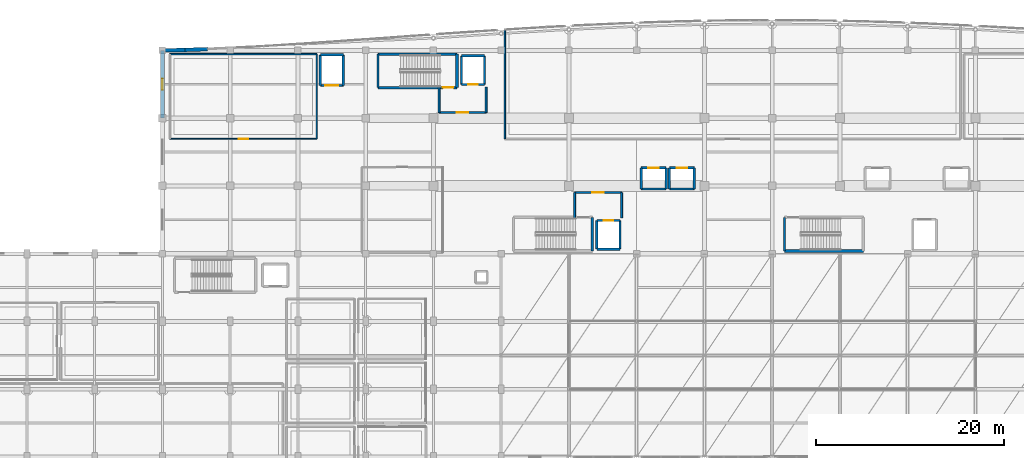
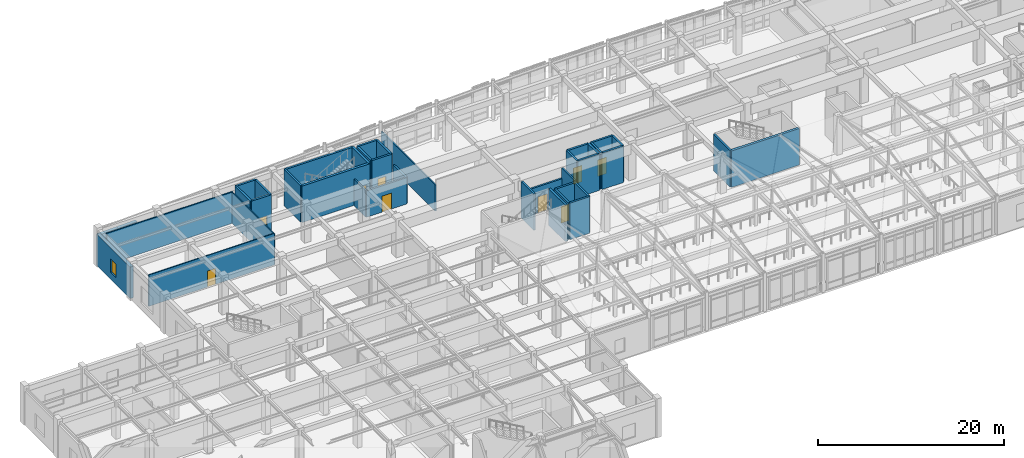
# One storey, part 91 of 117: 40 walls, 9 doors, 1 window, 10 openings.
"""IFC4 building model written with IfcOpenShell, lengths in metres."""

import ifcopenshell
import ifcopenshell.guid

model = None  # the IFC model being written
_history = None  # IfcOwnerHistory: only IFC2X3 demands one
_inside = {}  # id of a spatial element -> (the spatial element, [elements in it])
_under = {}  # id of a project, library or spatial element -> (it, [spatial elements below it])
_declared = {}  # id of a project -> (the project, [libraries it declares])
_typed = {}  # id of a type object -> (the type object, [elements of that type])
_made_of = {}  # id of a material, layer set ... -> (it, [elements and type objects made of it])


def new_model(schema):
    """Start an empty IFC model of exactly this schema.

    Asked for "IFC4X3", IfcOpenShell would pick the latest addendum, in which some entities
    have other attributes; the version numbers below select the first issue.
    IFC2X3 requires an IfcOwnerHistory on every rooted entity: one is made here for all.
    """
    global model, _history
    if schema == "IFC4X3":
        model = ifcopenshell.file(schema_version=(4, 3, 0, 0))
    else:
        model = ifcopenshell.file(schema=schema)
    _inside.clear()
    _under.clear()
    _declared.clear()
    _typed.clear()
    _made_of.clear()
    _history = None
    if model.schema == "IFC2X3":
        org = make("IfcOrganization", Name="unknown")
        user = make(
            "IfcPersonAndOrganization",
            ThePerson=make("IfcPerson", FamilyName="unknown"),
            TheOrganization=org,
        )
        app = make(
            "IfcApplication",
            ApplicationDeveloper=org,
            Version="unknown",
            ApplicationFullName="unknown",
            ApplicationIdentifier="unknown",
        )
        _history = make(
            "IfcOwnerHistory",
            OwningUser=user,
            OwningApplication=app,
            ChangeAction="ADDED",
            CreationDate=0,
        )
    return model


def make(cls, **values):
    """One entity of the class cls with the attributes given. An attribute that is None is left unset."""
    return model.create_entity(
        cls, **{name: value for name, value in values.items() if value is not None}
    )


def rooted(cls, **values):
    """An entity with a GlobalId (a new one), such as an element, a storey or a relation."""
    return make(cls, GlobalId=ifcopenshell.guid.new(), OwnerHistory=_history, **values)


def si_unit(unit_type, name, prefix=None):
    """IfcSIUnit, for example si_unit("LENGTHUNIT", "METRE", prefix="MILLI")."""
    return make("IfcSIUnit", UnitType=unit_type, Prefix=prefix, Name=name)


def assignment(units):
    """IfcUnitAssignment: the units of a project."""
    return None if units is None else make("IfcUnitAssignment", Units=units)


def point(xyz):
    """IfcCartesianPoint."""
    return None if xyz is None else make("IfcCartesianPoint", Coordinates=xyz)


def direction(xyz):
    """IfcDirection."""
    return None if xyz is None else make("IfcDirection", DirectionRatios=xyz)


def frame(location, z_axis=None, x_axis=None):
    """IfcAxis2Placement3D, a coordinate frame: its origin and axes. An axis left out is left unset."""
    return make(
        "IfcAxis2Placement3D",
        Location=point(location),
        Axis=direction(z_axis),
        RefDirection=direction(x_axis),
    )


def frame_2d(location, x_axis=None):
    """IfcAxis2Placement2D, a coordinate frame in the plane: its origin and x axis."""
    return make(
        "IfcAxis2Placement2D", Location=point(location), RefDirection=direction(x_axis)
    )


def origin():
    """The frame at (0, 0, 0) with its axes left unset."""
    return frame((0.0, 0.0, 0.0))


def place(relative_to, where):
    """IfcLocalPlacement: puts the frame where relative to a parent placement (None: the world)."""
    return make(
        "IfcLocalPlacement", PlacementRelTo=relative_to, RelativePlacement=where
    )


def context(
    kind, dimensions, precision=None, world=None, true_north=None, identifier=None
):
    """IfcGeometricRepresentationContext, for example the 3D "Model" context."""
    return make(
        "IfcGeometricRepresentationContext",
        ContextIdentifier=identifier,
        ContextType=kind,
        CoordinateSpaceDimension=dimensions,
        Precision=precision,
        WorldCoordinateSystem=world,
        TrueNorth=true_north,
    )


def subcontext(parent, identifier, kind, view, scale=None):
    """IfcGeometricRepresentationSubContext, for example "Body" below "Model"."""
    return make(
        "IfcGeometricRepresentationSubContext",
        ContextIdentifier=identifier,
        ContextType=kind,
        ParentContext=parent,
        TargetScale=scale,
        TargetView=view,
    )


def project(units=None, contexts=None):
    """IfcProject with its units and contexts."""
    return rooted(
        "IfcProject",
        Name="project",
        RepresentationContexts=contexts,
        UnitsInContext=assignment(units),
    )


def spatial(cls, under=None, at=None, **own):
    """A site, building, storey or space (cls), placed at a placement, below another one or the project."""
    s = rooted(cls, ObjectPlacement=at, **own)
    if under is not None:
        _under.setdefault(under.id(), (under, []))[1].append(s)
    return s


def profile(cls, at=None, kind="AREA", **sizes):
    """A parametric profile (cls). Its sizes go by their IFC names, for example OverallWidth=200.0."""
    return make(cls, ProfileType=kind, Position=at, **sizes)


def rectangle(**sizes):
    """IfcRectangleProfileDef."""
    return profile("IfcRectangleProfileDef", **sizes)


def extrude(swept, where, along, depth):
    """IfcExtrudedAreaSolid: the profile swept, set in the frame where, extruded along a direction by depth."""
    return make(
        "IfcExtrudedAreaSolid",
        SweptArea=swept,
        Position=where,
        ExtrudedDirection=direction(along),
        Depth=depth,
    )


def shape(context_of_items, identifier, shape_type, items):
    """IfcShapeRepresentation: the items that make up one representation, for example the "Body"."""
    return make(
        "IfcShapeRepresentation",
        ContextOfItems=context_of_items,
        RepresentationIdentifier=identifier,
        RepresentationType=shape_type,
        Items=items,
    )


def material(Name=None, Category=None):
    """IfcMaterial."""
    return make("IfcMaterial", Name=Name, Category=Category)


def layer(
    of_material, thickness, ventilated=None, Name=None, Category=None, Priority=None
):
    """IfcMaterialLayer: one layer of a wall or slab, of a material (None: an air gap)."""
    return make(
        "IfcMaterialLayer",
        Material=of_material,
        LayerThickness=thickness,
        IsVentilated=ventilated,
        Name=Name,
        Category=Category,
        Priority=Priority,
    )


def layer_set(layers, Name=None):
    """IfcMaterialLayerSet."""
    return make("IfcMaterialLayerSet", MaterialLayers=layers, LayerSetName=Name)


def made_of(thing, what):
    """Note that an element or type object is made of a material, layer set ...; save() writes the relation."""
    if what is not None:
        _made_of.setdefault(what.id(), (what, []))[1].append(thing)
    return thing


def type_object(cls, material=None, **own):
    """A type object (cls), such as IfcWallType, which elements share."""
    return made_of(rooted(cls, **own), material)


def element(
    cls,
    number,
    at=None,
    inside=None,
    cuts=None,
    type_object=None,
    material=None,
    context=None,
    identifier="Body",
    shape_type=None,
    held_by="IfcProductDefinitionShape",
    body=None,
    shapes=None,
    **own,
):
    """One element of the class cls, such as IfcWall. Its Tag is "e" and its number.

    at: its placement. inside: the storey or other place that contains it. cuts: it is an
    opening in that element (IfcRelVoidsElement). A single representation is given by context,
    identifier, shape_type and body (its items); several are given by shapes. held_by: the class
    of the entity that holds the representations. save() writes the other relations.
    """
    e = rooted(cls, Tag="e%d" % number, ObjectPlacement=at, **own)
    if body is not None:
        shapes = [shape(context, identifier, shape_type, body)]
    if shapes is not None:
        e.Representation = make(held_by, Representations=shapes)
    if inside is not None:
        _inside.setdefault(inside.id(), (inside, []))[1].append(e)
    if cuts is not None:
        rooted(
            "IfcRelVoidsElement", RelatingBuildingElement=cuts, RelatedOpeningElement=e
        )
    if type_object is not None:
        _typed.setdefault(type_object.id(), (type_object, []))[1].append(e)
    return made_of(e, material)


def fill(opening, filler):
    """IfcRelFillsElement: the door or window that sits in an opening."""
    return rooted(
        "IfcRelFillsElement",
        RelatingOpeningElement=opening,
        RelatedBuildingElement=filler,
    )


def aggregate(whole, parts):
    """IfcRelAggregates: a whole, such as a stair, and the parts it consists of."""
    return rooted("IfcRelAggregates", RelatingObject=whole, RelatedObjects=parts)


def save(model, path):
    """Write the relations noted so far, then the file.

    IfcRelAggregates (storeys below a building ...), IfcRelContainedInSpatialStructure (elements
    in a storey), IfcRelDefinesByType, IfcRelAssociatesMaterial and IfcRelDeclares: one each for
    every whole, place, type object, material and project.
    """
    for whole, parts in _under.values():
        aggregate(whole, parts)
    for where, things in _inside.values():
        rooted(
            "IfcRelContainedInSpatialStructure",
            RelatedElements=things,
            RelatingStructure=where,
        )
    for kind, things in _typed.values():
        rooted("IfcRelDefinesByType", RelatedObjects=things, RelatingType=kind)
    for what, things in _made_of.values():
        rooted("IfcRelAssociatesMaterial", RelatedObjects=things, RelatingMaterial=what)
    for by, libraries in _declared.values():
        rooted("IfcRelDeclares", RelatingContext=by, RelatedDefinitions=libraries)
    model.write(path)


model = new_model("IFC4")

# Units and contexts
model_context = context("Model", 3, precision=1e-05, world=origin(), true_north=direction((0.0, 1.0)))
body_context = subcontext(model_context, "Body", "Model", "MODEL_VIEW")
ifc_project = project(units=[si_unit("LENGTHUNIT", "METRE"), si_unit("AREAUNIT", "SQUARE_METRE"), si_unit("VOLUMEUNIT", "CUBIC_METRE"), si_unit("PLANEANGLEUNIT", "RADIAN"), si_unit("MASSUNIT", "GRAM", prefix="KILO")], contexts=[model_context])

# Site, building, storey
site_placement = place(None, origin())
site = spatial("IfcSite", under=ifc_project, at=site_placement, CompositionType="ELEMENT")
building_placement = place(site_placement, origin())
building = spatial("IfcBuilding", under=site, at=building_placement, Name="Carrowvane Square Congress Hotel", CompositionType="ELEMENT")
storey_placement = place(building_placement, frame((0.0, 0.0, 5.39990234375)))
storey = spatial("IfcBuildingStorey", under=building, at=storey_placement, Name="L01", CompositionType="ELEMENT", Elevation=5.39990234375)

# Wall, opening, window
ifc_material_1 = material(Name="Glazed terracotta rainscreen", Category="masonry")
ifc_layer_1 = layer(ifc_material_1, 0.39990234375)
ifc_layer_set_1 = layer_set([ifc_layer_1], Name="Glazed terracotta rainscreen")
wall_type_1 = type_object("IfcWallType", Name="WL-EXT-TC400", PredefinedType="STANDARD", material=ifc_layer_set_1)
wall_1_placement = place(storey_placement, frame((33.199951171875, 106.199951171875, 0.0), z_axis=(0.0, 0.0, 1.0), x_axis=(0.0, 1.0, 0.0)))
wall_1 = element("IfcWall", 1, at=wall_1_placement, inside=storey, type_object=wall_type_1, Name="L01 exterior facade wall 215", PredefinedType="STANDARD", context=body_context, shape_type="SweptSolid", body=[
    extrude(rectangle(XDim=7.199951171875, YDim=0.39990234375, at=frame_2d((3.60009765625, 0.0))), origin(), (0.0, 0.0, 1.0), 4.114990234375),
])
opening_1_placement = place(wall_1_placement, frame((3.0, 0.0, 0.89990234375)))
opening_1 = element("IfcOpeningElement", 2, at=opening_1_placement, cuts=wall_1, Name="Opening W-01", PredefinedType="OPENING", context=body_context, shape_type="SweptSolid", body=[
    extrude(rectangle(XDim=1.199951171875, YDim=1.800048828125, at=frame_2d((0.60009765625, 0.89990234375))), frame((0.0, 0.2099609375, 0.0), z_axis=(0.0, -1.0, 0.0), x_axis=(1.0, 0.0, 0.0)), (0.0, 0.0, 1.0), 0.419921875),
])
ifc_material_2 = material(Name="Double-glazed low-E glass", Category="glass")
window_type = type_object("IfcWindowType", Name="WIN-01", PartitioningType="SINGLE_PANEL", PredefinedType="WINDOW", material=ifc_material_2)
window_placement = place(opening_1_placement, origin())
window = element("IfcWindow", 3, at=window_placement, inside=storey, type_object=window_type, Name="L01 facade window 42", OverallHeight=1.800048828125, OverallWidth=1.199951171875, PartitioningType="SINGLE_PANEL", PredefinedType="WINDOW", context=body_context, shape_type="SweptSolid", body=[
    extrude(rectangle(XDim=1.199951171875, YDim=1.800048828125, at=frame_2d((0.60009765625, 0.89990234375))), frame((0.0, 0.030029296875, 0.0), z_axis=(0.0, -1.0, 0.0), x_axis=(1.0, 0.0, 0.0)), (0.0, 0.0, 1.0), 0.06005859375),
])
fill(opening_1, window)

# Walls
wall_2_placement = place(storey_placement, frame((33.199951171875, 113.39990234375, 0.0), z_axis=(0.0, 0.0, 1.0), x_axis=(0.999767568547, 0.021559426766, 0.0)))
element("IfcWall", 4, at=wall_2_placement, inside=storey, type_object=wall_type_1, Name="L01 exterior facade wall 216", PredefinedType="STANDARD", context=body_context, shape_type="SweptSolid", body=[
    extrude(rectangle(XDim=2.400634765625, YDim=0.39990234375, at=frame_2d((1.2001953125, 0.0))), origin(), (0.0, 0.0, 1.0), 4.01513671875),
])
wall_3_placement = place(storey_placement, frame((35.60009765625, 113.45166015625, 0.0), z_axis=(0.0, 0.0, 1.0), x_axis=(0.99930757318, 0.037207179225, 0.0)))
element("IfcWall", 5, at=wall_3_placement, inside=storey, type_object=wall_type_1, Name="L01 exterior facade wall 217", PredefinedType="STANDARD", context=body_context, shape_type="SweptSolid", body=[
    extrude(rectangle(XDim=2.401611328125, YDim=0.39990234375, at=frame_2d((1.20068359375, 0.0))), origin(), (0.0, 0.0, 1.0), 4.01513671875),
])

# Wall, opening, door
ifc_material_3 = material(Name="Acoustic gypsum board", Category="gypsum")
ifc_layer_2 = layer(ifc_material_3, 0.205078125)
ifc_layer_set_2 = layer_set([ifc_layer_2], Name="Acoustic gypsum board")
wall_type_2 = type_object("IfcWallType", Name="WL-FIR-205", PredefinedType="PARTITIONING", material=ifc_layer_set_2)
wall_4_placement = place(storey_placement, frame((62.60009765625, 106.800048828125, 0.0), z_axis=(0.0, 0.0, 1.0), x_axis=(1.0, 0.0, 0.0)))
wall_4 = element("IfcWall", 6, at=wall_4_placement, inside=storey, type_object=wall_type_2, Name="L01 Firefighting Lobby C1 wall south", PredefinedType="PARTITIONING", context=body_context, shape_type="SweptSolid", body=[
    extrude(rectangle(XDim=5.0, YDim=0.205078125, at=frame_2d((2.5, 0.0))), origin(), (0.0, 0.0, 1.0), 3.445068359375),
])
opening_2_placement = place(wall_4_placement, frame((1.89990234375, 0.0, 0.0)))
opening_2 = element("IfcOpeningElement", 7, at=opening_2_placement, cuts=wall_4, Name="Opening FD-02", PredefinedType="OPENING", context=body_context, shape_type="SweptSolid", body=[
    extrude(rectangle(XDim=1.199951171875, YDim=2.10009765625, at=frame_2d((0.60009765625, 1.050048828125))), frame((0.0, 0.112548828125, 0.0), z_axis=(0.0, -1.0, 0.0), x_axis=(1.0, 0.0, 0.0)), (0.0, 0.0, 1.0), 0.22509765625),
])
ifc_material_4 = material(Name="European oak timber", Category="wood")
door_type_1 = type_object("IfcDoorType", Name="DR-FD60-1200x2100", OperationType="NOTDEFINED", PredefinedType="DOOR", material=ifc_material_4)
door_1_placement = place(opening_2_placement, origin())
door_1 = element("IfcDoor", 8, at=door_1_placement, inside=storey, type_object=door_type_1, Name="L01 Firefighting Lobby C1 entrance door", OperationType="SINGLE_SWING_RIGHT", OverallHeight=2.10009765625, OverallWidth=1.199951171875, PredefinedType="DOOR", context=body_context, shape_type="SweptSolid", body=[
    extrude(rectangle(XDim=1.199951171875, YDim=2.10009765625, at=frame_2d((0.60009765625, 1.050048828125))), frame((0.0, 0.02490234375, 0.0), z_axis=(0.0, -1.0, 0.0), x_axis=(1.0, 0.0, 0.0)), (0.0, 0.0, 1.0), 0.050048828125),
])
fill(opening_2, door_1)

# Walls
for number, where, z_axis, x_axis, name in (
    (9, (67.60009765625, 106.800048828125, 0.0), (0.0, 0.0, 1.0), (0.0, 1.0, 0.0), "L01 Firefighting Lobby C1 wall east"),
    (10, (62.60009765625, 109.5, 0.0), (0.0, 0.0, 1.0), (0.0, -1.0, 0.0), "L01 Firefighting Lobby C1 wall west"),
):
    element("IfcWall", number, at=place(storey_placement, frame(where, z_axis=z_axis, x_axis=x_axis)), inside=storey, type_object=wall_type_2, Name=name, PredefinedType="PARTITIONING", context=body_context, shape_type="SweptSolid", body=[
        extrude(rectangle(XDim=2.699951171875, YDim=0.205078125, at=frame_2d((1.35009765625, 0.0))), origin(), (0.0, 0.0, 1.0), 3.445068359375),
    ])
wall_5_placement = place(storey_placement, frame((82.0, 95.60009765625, 0.0), z_axis=(0.0, 0.0, 1.0), x_axis=(0.0, 1.0, 0.0)))
element("IfcWall", 11, at=wall_5_placement, inside=storey, type_object=wall_type_2, Name="L01 Firefighting Lobby C2 wall east", PredefinedType="PARTITIONING", context=body_context, shape_type="SweptSolid", body=[
    extrude(rectangle(XDim=2.699951171875, YDim=0.205078125, at=frame_2d((1.35009765625, 0.0))), origin(), (0.0, 0.0, 1.0), 4.780029296875),
])

# Wall, opening, door
wall_6_placement = place(storey_placement, frame((82.0, 98.300048828125, 0.0), z_axis=(0.0, 0.0, 1.0), x_axis=(-1.0, 0.0, 0.0)))
wall_6 = element("IfcWall", 12, at=wall_6_placement, inside=storey, type_object=wall_type_2, Name="L01 Firefighting Lobby C2 wall north", PredefinedType="PARTITIONING", context=body_context, shape_type="SweptSolid", body=[
    extrude(rectangle(XDim=5.0, YDim=0.205078125, at=frame_2d((2.5, 0.0))), origin(), (0.0, 0.0, 1.0), 3.445068359375),
])
opening_3_placement = place(wall_6_placement, frame((1.89990234375, 0.0, 0.0)))
opening_3 = element("IfcOpeningElement", 13, at=opening_3_placement, cuts=wall_6, Name="Opening FD-02", PredefinedType="OPENING", context=body_context, shape_type="SweptSolid", body=[
    extrude(rectangle(XDim=1.199951171875, YDim=2.10009765625, at=frame_2d((0.60009765625, 1.050048828125))), frame((0.0, 0.112548828125, 0.0), z_axis=(0.0, -1.0, 0.0), x_axis=(1.0, 0.0, 0.0)), (0.0, 0.0, 1.0), 0.22509765625),
])
door_2_placement = place(opening_3_placement, origin())
door_2 = element("IfcDoor", 14, at=door_2_placement, inside=storey, type_object=door_type_1, Name="L01 Firefighting Lobby C2 entrance door", OperationType="SINGLE_SWING_LEFT", OverallHeight=2.10009765625, OverallWidth=1.199951171875, PredefinedType="DOOR", context=body_context, shape_type="SweptSolid", body=[
    extrude(rectangle(XDim=1.199951171875, YDim=2.10009765625, at=frame_2d((0.60009765625, 1.050048828125))), frame((0.0, 0.02490234375, 0.0), z_axis=(0.0, -1.0, 0.0), x_axis=(1.0, 0.0, 0.0)), (0.0, 0.0, 1.0), 0.050048828125),
])
fill(opening_3, door_2)

# Wall
wall_7_placement = place(storey_placement, frame((77.0, 98.300048828125, 0.0), z_axis=(0.0, 0.0, 1.0), x_axis=(0.0, -1.0, 0.0)))
element("IfcWall", 15, at=wall_7_placement, inside=storey, type_object=wall_type_2, Name="L01 Firefighting Lobby C2 wall west", PredefinedType="PARTITIONING", context=body_context, shape_type="SweptSolid", body=[
    extrude(rectangle(XDim=2.699951171875, YDim=0.205078125, at=frame_2d((1.35009765625, 0.0))), origin(), (0.0, 0.0, 1.0), 4.780029296875),
])

# Wall, opening, door
ifc_material_5 = material(Name="Acoustic gypsum board", Category="gypsum")
ifc_layer_3 = layer(ifc_material_5, 0.1279296875)
ifc_layer_set_3 = layer_set([ifc_layer_3], Name="Acoustic gypsum board")
wall_type_3 = type_object("IfcWallType", Name="WL-PRT-128", PredefinedType="PARTITIONING", material=ifc_layer_set_3)
wall_8_placement = place(storey_placement, frame((49.60009765625, 104.0, 0.0), z_axis=(0.0, 0.0, 1.0), x_axis=(-1.0, 0.0, 0.0)))
wall_8 = element("IfcWall", 16, at=wall_8_placement, inside=storey, type_object=wall_type_3, Name="L01 Sommelier Wine Tasting Cellar partition", PredefinedType="PARTITIONING", context=body_context, shape_type="SweptSolid", body=[
    extrude(rectangle(XDim=15.60009765625, YDim=0.1279296875, at=frame_2d((7.800048828125, 0.0))), origin(), (0.0, 0.0, 1.0), 4.114990234375),
])
opening_4_placement = place(wall_8_placement, frame((7.300048828125, 0.0, 0.0)))
opening_4 = element("IfcOpeningElement", 17, at=opening_4_placement, cuts=wall_8, Name="Opening ID-06", PredefinedType="OPENING", context=body_context, shape_type="SweptSolid", body=[
    extrude(rectangle(XDim=1.0, YDim=2.10009765625, at=frame_2d((0.5, 1.050048828125))), frame((0.0, 0.073974609375, 0.0), z_axis=(0.0, -1.0, 0.0), x_axis=(1.0, 0.0, 0.0)), (0.0, 0.0, 1.0), 0.14794921875),
])
ifc_material_6 = material(Name="European oak timber", Category="wood")
door_type_2 = type_object("IfcDoorType", Name="DR-INT-1000x2100", OperationType="NOTDEFINED", PredefinedType="DOOR", material=ifc_material_6)
door_3_placement = place(opening_4_placement, origin())
door_3 = element("IfcDoor", 18, at=door_3_placement, inside=storey, type_object=door_type_2, Name="L01 Sommelier Wine Tasting Cellar entrance door", OperationType="SINGLE_SWING_LEFT", OverallHeight=2.10009765625, OverallWidth=1.0, PredefinedType="DOOR", context=body_context, shape_type="SweptSolid", body=[
    extrude(rectangle(XDim=1.0, YDim=2.10009765625, at=frame_2d((0.5, 1.050048828125))), frame((0.0, 0.02490234375, 0.0), z_axis=(0.0, -1.0, 0.0), x_axis=(1.0, 0.0, 0.0)), (0.0, 0.0, 1.0), 0.050048828125),
])
fill(opening_4, door_3)

# Walls
ifc_material_7 = material(Name="Acoustic gypsum board", Category="gypsum")
ifc_layer_4 = layer(ifc_material_7, 0.137939453125)
ifc_layer_set_4 = layer_set([ifc_layer_4], Name="Acoustic gypsum board")
wall_type_4 = type_object("IfcWallType", Name="WL-PRT-138", PredefinedType="PARTITIONING", material=ifc_layer_set_4)
wall_9_placement = place(storey_placement, frame((49.60009765625, 113.0, 0.0), z_axis=(0.0, 0.0, 1.0), x_axis=(0.0, -1.0, 0.0)))
element("IfcWall", 19, at=wall_9_placement, inside=storey, type_object=wall_type_4, Name="L01 Sommelier Wine Tasting Cellar partition", PredefinedType="PARTITIONING", context=body_context, shape_type="SweptSolid", body=[
    extrude(rectangle(XDim=9.0, YDim=0.137939453125, at=frame_2d((4.5, 0.0))), origin(), (0.0, 0.0, 1.0), 4.01513671875),
])
ifc_material_8 = material(Name="Acoustic gypsum board", Category="gypsum")
ifc_layer_5 = layer(ifc_material_8, 0.14794921875)
ifc_layer_set_5 = layer_set([ifc_layer_5], Name="Acoustic gypsum board")
wall_type_5 = type_object("IfcWallType", Name="WL-PRT-148", PredefinedType="PARTITIONING", material=ifc_layer_set_5)
wall_10_placement = place(storey_placement, frame((69.60009765625, 104.0, 0.0), z_axis=(0.0, 0.0, 1.0), x_axis=(0.0, 1.0, 0.0)))
element("IfcWall", 20, at=wall_10_placement, inside=storey, type_object=wall_type_5, Name="L01 Delegate Congress Dining Hall partition", PredefinedType="PARTITIONING", context=body_context, shape_type="SweptSolid", body=[
    extrude(rectangle(XDim=11.599365234375, YDim=0.14794921875, at=frame_2d((5.7998046875, 0.0))), origin(), (0.0, 0.0, 1.0), 3.445068359375),
])
wall_11_placement = place(storey_placement, frame((34.0, 113.0, 0.0), z_axis=(0.0, 0.0, 1.0), x_axis=(1.0, 0.0, 0.0)))
element("IfcWall", 21, at=wall_11_placement, inside=storey, type_object=wall_type_5, Name="L01 Sommelier Wine Tasting Cellar partition", PredefinedType="PARTITIONING", context=body_context, shape_type="SweptSolid", body=[
    extrude(rectangle(XDim=15.60009765625, YDim=0.14794921875, at=frame_2d((7.800048828125, 0.0))), origin(), (0.0, 0.0, 1.0), 4.114990234375),
])
ifc_material_9 = material(Name="Concrete C40/50", Category="concrete")
ifc_layer_6 = layer(ifc_material_9, 0.22509765625)
ifc_layer_set_6 = layer_set([ifc_layer_6], Name="Concrete C40/50")
wall_type_6 = type_object("IfcWallType", Name="WL-SHR-225", PredefinedType="SHEAR", material=ifc_layer_set_6)
wall_12_placement = place(storey_placement, frame((56.10009765625, 113.0, 0.0), z_axis=(0.0, 0.0, 1.0), x_axis=(0.0, -1.0, 0.0)))
element("IfcWall", 22, at=wall_12_placement, inside=storey, type_object=wall_type_6, Name="L01 ST1 core wall west", PredefinedType="SHEAR", context=body_context, shape_type="SweptSolid", body=[
    extrude(rectangle(XDim=3.56005859375, YDim=0.22509765625, at=frame_2d((1.780029296875, 0.0))), origin(), (0.0, 0.0, 1.0), 4.780029296875),
])
wall_13_placement = place(storey_placement, frame((99.300048828125, 95.659912109375, 0.0), z_axis=(0.0, 0.0, 1.0), x_axis=(0.0, -1.0, 0.0)))
element("IfcWall", 23, at=wall_13_placement, inside=storey, type_object=wall_type_6, Name="L01 ST3 core wall west", PredefinedType="SHEAR", context=body_context, shape_type="SweptSolid", body=[
    extrude(rectangle(XDim=3.559814453125, YDim=0.22509765625, at=frame_2d((1.77978515625, 0.0))), origin(), (0.0, 0.0, 1.0), 4.780029296875),
])
ifc_material_10 = material(Name="Concrete C40/50", Category="concrete")
ifc_layer_7 = layer(ifc_material_10, 0.25)
ifc_layer_set_7 = layer_set([ifc_layer_7], Name="Concrete C40/50")
wall_type_7 = type_object("IfcWallType", Name="WL-SHR-250", PredefinedType="SHEAR", material=ifc_layer_set_7)
wall_14_placement = place(storey_placement, frame((64.5, 113.0, 0.0), z_axis=(0.0, 0.0, 1.0), x_axis=(-1.0, 0.0, 0.0)))
element("IfcWall", 24, at=wall_14_placement, inside=storey, type_object=wall_type_7, Name="L01 ST1 core wall north", PredefinedType="SHEAR", context=body_context, shape_type="SweptSolid", body=[
    extrude(rectangle(XDim=8.39990234375, YDim=0.25, at=frame_2d((4.199951171875, 0.0))), origin(), (0.0, 0.0, 1.0), 4.780029296875),
])

# Wall, opening, door
wall_15_placement = place(storey_placement, frame((64.97509765625, 109.77490234375, 0.0), z_axis=(0.0, 0.0, 1.0), x_axis=(1.0, 0.0, 0.0)))
wall_15 = element("IfcWall", 25, at=wall_15_placement, inside=storey, type_object=wall_type_7, Name="L01 FFL-1 shaft wall south", PredefinedType="SHEAR", context=body_context, shape_type="SweptSolid", body=[
    extrude(rectangle(XDim=2.449951171875, YDim=0.25, at=frame_2d((1.22509765625, 0.0))), origin(), (0.0, 0.0, 1.0), 4.780029296875),
])
opening_5_placement = place(wall_15_placement, frame((0.72509765625, 0.0, 0.0)))
opening_5 = element("IfcOpeningElement", 26, at=opening_5_placement, cuts=wall_15, Name="Opening LD-FFL-1", PredefinedType="OPENING", context=body_context, shape_type="SweptSolid", body=[
    extrude(rectangle(XDim=1.0, YDim=2.14990234375, at=frame_2d((0.5, 1.074951171875))), frame((0.0, 0.135009765625, 0.0), z_axis=(0.0, -1.0, 0.0), x_axis=(1.0, 0.0, 0.0)), (0.0, 0.0, 1.0), 0.27001953125),
])
ifc_material_11 = material(Name="Stainless steel 316", Category="steel")
door_type_3 = type_object("IfcDoorType", Name="DR-LD-1000x2150", OperationType="DOUBLE_DOOR_SLIDING", PredefinedType="DOOR", material=ifc_material_11)
door_4_placement = place(opening_5_placement, origin())
door_4 = element("IfcDoor", 27, at=door_4_placement, inside=storey, type_object=door_type_3, Name="L01 FFL-1 sliding lift landing door", OperationType="DOUBLE_DOOR_SLIDING", OverallHeight=2.14990234375, OverallWidth=1.0, PredefinedType="DOOR", context=body_context, shape_type="SweptSolid", body=[
    extrude(rectangle(XDim=1.0, YDim=2.14990234375, at=frame_2d((0.5, 1.074951171875))), frame((0.0, 0.02490234375, 0.0), z_axis=(0.0, -1.0, 0.0), x_axis=(1.0, 0.0, 0.0)), (0.0, 0.0, 1.0), 0.050048828125),
])
fill(opening_5, door_4)

# Walls
wall_16_placement = place(storey_placement, frame((67.425048828125, 109.77490234375, 0.0), z_axis=(0.0, 0.0, 1.0), x_axis=(0.0, 1.0, 0.0)))
element("IfcWall", 28, at=wall_16_placement, inside=storey, type_object=wall_type_7, Name="L01 FFL-1 shaft wall east", PredefinedType="SHEAR", context=body_context, shape_type="SweptSolid", body=[
    extrude(rectangle(XDim=3.050048828125, YDim=0.25, at=frame_2d((1.52490234375, 0.0))), origin(), (0.0, 0.0, 1.0), 4.780029296875),
])
wall_17_placement = place(storey_placement, frame((67.425048828125, 112.824951171875, 0.0), z_axis=(0.0, 0.0, 1.0), x_axis=(-1.0, 0.0, 0.0)))
element("IfcWall", 29, at=wall_17_placement, inside=storey, type_object=wall_type_7, Name="L01 FFL-1 shaft wall north", PredefinedType="SHEAR", context=body_context, shape_type="SweptSolid", body=[
    extrude(rectangle(XDim=2.449951171875, YDim=0.25, at=frame_2d((1.22509765625, 0.0))), origin(), (0.0, 0.0, 1.0), 4.780029296875),
])
wall_18_placement = place(storey_placement, frame((64.97509765625, 112.824951171875, 0.0), z_axis=(0.0, 0.0, 1.0), x_axis=(0.0, -1.0, 0.0)))
element("IfcWall", 30, at=wall_18_placement, inside=storey, type_object=wall_type_7, Name="L01 FFL-1 shaft wall west", PredefinedType="SHEAR", context=body_context, shape_type="SweptSolid", body=[
    extrude(rectangle(XDim=3.050048828125, YDim=0.25, at=frame_2d((1.52490234375, 0.0))), origin(), (0.0, 0.0, 1.0), 4.780029296875),
])
wall_19_placement = place(storey_placement, frame((79.375, 92.27490234375, 0.0), z_axis=(0.0, 0.0, 1.0), x_axis=(1.0, 0.0, 0.0)))
element("IfcWall", 31, at=wall_19_placement, inside=storey, type_object=wall_type_7, Name="L01 FFL-2 shaft wall south", PredefinedType="SHEAR", context=body_context, shape_type="SweptSolid", body=[
    extrude(rectangle(XDim=2.449951171875, YDim=0.25, at=frame_2d((1.22509765625, 0.0))), origin(), (0.0, 0.0, 1.0), 4.780029296875),
])
wall_20_placement = place(storey_placement, frame((81.824951171875, 92.27490234375, 0.0), z_axis=(0.0, 0.0, 1.0), x_axis=(0.0, 1.0, 0.0)))
element("IfcWall", 32, at=wall_20_placement, inside=storey, type_object=wall_type_7, Name="L01 FFL-2 shaft wall east", PredefinedType="SHEAR", context=body_context, shape_type="SweptSolid", body=[
    extrude(rectangle(XDim=3.050048828125, YDim=0.25, at=frame_2d((1.52490234375, 0.0))), origin(), (0.0, 0.0, 1.0), 4.780029296875),
])

# Wall, opening, door
wall_21_placement = place(storey_placement, frame((81.824951171875, 95.324951171875, 0.0), z_axis=(0.0, 0.0, 1.0), x_axis=(-1.0, 0.0, 0.0)))
wall_21 = element("IfcWall", 33, at=wall_21_placement, inside=storey, type_object=wall_type_7, Name="L01 FFL-2 shaft wall north", PredefinedType="SHEAR", context=body_context, shape_type="SweptSolid", body=[
    extrude(rectangle(XDim=2.449951171875, YDim=0.25, at=frame_2d((1.22509765625, 0.0))), origin(), (0.0, 0.0, 1.0), 4.780029296875),
])
opening_6_placement = place(wall_21_placement, frame((0.72509765625, 0.0, 0.0)))
opening_6 = element("IfcOpeningElement", 34, at=opening_6_placement, cuts=wall_21, Name="Opening LD-FFL-2", PredefinedType="OPENING", context=body_context, shape_type="SweptSolid", body=[
    extrude(rectangle(XDim=1.0, YDim=2.14990234375, at=frame_2d((0.5, 1.074951171875))), frame((0.0, 0.135009765625, 0.0), z_axis=(0.0, -1.0, 0.0), x_axis=(1.0, 0.0, 0.0)), (0.0, 0.0, 1.0), 0.27001953125),
])
door_5_placement = place(opening_6_placement, origin())
door_5 = element("IfcDoor", 35, at=door_5_placement, inside=storey, type_object=door_type_3, Name="L01 FFL-2 sliding lift landing door", OperationType="DOUBLE_DOOR_SLIDING", OverallHeight=2.14990234375, OverallWidth=1.0, PredefinedType="DOOR", context=body_context, shape_type="SweptSolid", body=[
    extrude(rectangle(XDim=1.0, YDim=2.14990234375, at=frame_2d((0.5, 1.074951171875))), frame((0.0, 0.02490234375, 0.0), z_axis=(0.0, -1.0, 0.0), x_axis=(1.0, 0.0, 0.0)), (0.0, 0.0, 1.0), 0.050048828125),
])
fill(opening_6, door_5)

# Walls
wall_22_placement = place(storey_placement, frame((79.375, 95.324951171875, 0.0), z_axis=(0.0, 0.0, 1.0), x_axis=(0.0, -1.0, 0.0)))
element("IfcWall", 36, at=wall_22_placement, inside=storey, type_object=wall_type_7, Name="L01 FFL-2 shaft wall west", PredefinedType="SHEAR", context=body_context, shape_type="SweptSolid", body=[
    extrude(rectangle(XDim=3.050048828125, YDim=0.25, at=frame_2d((1.52490234375, 0.0))), origin(), (0.0, 0.0, 1.0), 4.780029296875),
])
wall_23_placement = place(storey_placement, frame((84.074951171875, 98.675048828125, 0.0), z_axis=(0.0, 0.0, 1.0), x_axis=(1.0, 0.0, 0.0)))
element("IfcWall", 37, at=wall_23_placement, inside=storey, type_object=wall_type_7, Name="L01 HL-1 shaft wall south", PredefinedType="SHEAR", context=body_context, shape_type="SweptSolid", body=[
    extrude(rectangle(XDim=2.650146484375, YDim=0.25, at=frame_2d((1.3251953125, 0.0))), origin(), (0.0, 0.0, 1.0), 4.780029296875),
])
wall_24_placement = place(storey_placement, frame((86.72509765625, 98.675048828125, 0.0), z_axis=(0.0, 0.0, 1.0), x_axis=(0.0, 1.0, 0.0)))
element("IfcWall", 38, at=wall_24_placement, inside=storey, type_object=wall_type_7, Name="L01 HL-1 shaft wall east", PredefinedType="SHEAR", context=body_context, shape_type="SweptSolid", body=[
    extrude(rectangle(XDim=2.25, YDim=0.25, at=frame_2d((1.125, 0.0))), origin(), (0.0, 0.0, 1.0), 4.780029296875),
])

# Wall, opening, door
wall_25_placement = place(storey_placement, frame((86.72509765625, 100.925048828125, 0.0), z_axis=(0.0, 0.0, 1.0), x_axis=(-1.0, 0.0, 0.0)))
wall_25 = element("IfcWall", 39, at=wall_25_placement, inside=storey, type_object=wall_type_7, Name="L01 HL-1 shaft wall north", PredefinedType="SHEAR", context=body_context, shape_type="SweptSolid", body=[
    extrude(rectangle(XDim=2.650146484375, YDim=0.25, at=frame_2d((1.3251953125, 0.0))), origin(), (0.0, 0.0, 1.0), 4.780029296875),
])
opening_7_placement = place(wall_25_placement, frame((0.77490234375, 0.0, 0.0)))
opening_7 = element("IfcOpeningElement", 40, at=opening_7_placement, cuts=wall_25, Name="Opening LD-HL-1", PredefinedType="OPENING", context=body_context, shape_type="SweptSolid", body=[
    extrude(rectangle(XDim=1.10009765625, YDim=2.14990234375, at=frame_2d((0.550048828125, 1.074951171875))), frame((0.0, 0.135009765625, 0.0), z_axis=(0.0, -1.0, 0.0), x_axis=(1.0, 0.0, 0.0)), (0.0, 0.0, 1.0), 0.27001953125),
])
ifc_material_12 = material(Name="Stainless steel 316", Category="steel")
door_type_4 = type_object("IfcDoorType", Name="DR-LD-1100x2150", OperationType="DOUBLE_DOOR_SLIDING", PredefinedType="DOOR", material=ifc_material_12)
door_6_placement = place(opening_7_placement, origin())
door_6 = element("IfcDoor", 41, at=door_6_placement, inside=storey, type_object=door_type_4, Name="L01 HL-1 sliding lift landing door", OperationType="DOUBLE_DOOR_SLIDING", OverallHeight=2.14990234375, OverallWidth=1.10009765625, PredefinedType="DOOR", context=body_context, shape_type="SweptSolid", body=[
    extrude(rectangle(XDim=1.10009765625, YDim=2.14990234375, at=frame_2d((0.550048828125, 1.074951171875))), frame((0.0, 0.02490234375, 0.0), z_axis=(0.0, -1.0, 0.0), x_axis=(1.0, 0.0, 0.0)), (0.0, 0.0, 1.0), 0.050048828125),
])
fill(opening_7, door_6)

# Walls
wall_26_placement = place(storey_placement, frame((84.074951171875, 100.925048828125, 0.0), z_axis=(0.0, 0.0, 1.0), x_axis=(0.0, -1.0, 0.0)))
element("IfcWall", 42, at=wall_26_placement, inside=storey, type_object=wall_type_7, Name="L01 HL-1 shaft wall west", PredefinedType="SHEAR", context=body_context, shape_type="SweptSolid", body=[
    extrude(rectangle(XDim=2.25, YDim=0.25, at=frame_2d((1.125, 0.0))), origin(), (0.0, 0.0, 1.0), 4.780029296875),
])
wall_27_placement = place(storey_placement, frame((87.074951171875, 98.675048828125, 0.0), z_axis=(0.0, 0.0, 1.0), x_axis=(1.0, 0.0, 0.0)))
element("IfcWall", 43, at=wall_27_placement, inside=storey, type_object=wall_type_7, Name="L01 HL-2 shaft wall south", PredefinedType="SHEAR", context=body_context, shape_type="SweptSolid", body=[
    extrude(rectangle(XDim=2.650146484375, YDim=0.25, at=frame_2d((1.3251953125, 0.0))), origin(), (0.0, 0.0, 1.0), 4.780029296875),
])
wall_28_placement = place(storey_placement, frame((89.72509765625, 98.675048828125, 0.0), z_axis=(0.0, 0.0, 1.0), x_axis=(0.0, 1.0, 0.0)))
element("IfcWall", 44, at=wall_28_placement, inside=storey, type_object=wall_type_7, Name="L01 HL-2 shaft wall east", PredefinedType="SHEAR", context=body_context, shape_type="SweptSolid", body=[
    extrude(rectangle(XDim=2.25, YDim=0.25, at=frame_2d((1.125, 0.0))), origin(), (0.0, 0.0, 1.0), 4.780029296875),
])

# Wall, opening, door
wall_29_placement = place(storey_placement, frame((89.72509765625, 100.925048828125, 0.0), z_axis=(0.0, 0.0, 1.0), x_axis=(-1.0, 0.0, 0.0)))
wall_29 = element("IfcWall", 45, at=wall_29_placement, inside=storey, type_object=wall_type_7, Name="L01 HL-2 shaft wall north", PredefinedType="SHEAR", context=body_context, shape_type="SweptSolid", body=[
    extrude(rectangle(XDim=2.650146484375, YDim=0.25, at=frame_2d((1.3251953125, 0.0))), origin(), (0.0, 0.0, 1.0), 4.780029296875),
])
opening_8_placement = place(wall_29_placement, frame((0.77490234375, 0.0, 0.0)))
opening_8 = element("IfcOpeningElement", 46, at=opening_8_placement, cuts=wall_29, Name="Opening LD-HL-2", PredefinedType="OPENING", context=body_context, shape_type="SweptSolid", body=[
    extrude(rectangle(XDim=1.10009765625, YDim=2.14990234375, at=frame_2d((0.550048828125, 1.074951171875))), frame((0.0, 0.135009765625, 0.0), z_axis=(0.0, -1.0, 0.0), x_axis=(1.0, 0.0, 0.0)), (0.0, 0.0, 1.0), 0.27001953125),
])
door_7_placement = place(opening_8_placement, origin())
door_7 = element("IfcDoor", 47, at=door_7_placement, inside=storey, type_object=door_type_4, Name="L01 HL-2 sliding lift landing door", OperationType="DOUBLE_DOOR_SLIDING", OverallHeight=2.14990234375, OverallWidth=1.10009765625, PredefinedType="DOOR", context=body_context, shape_type="SweptSolid", body=[
    extrude(rectangle(XDim=1.10009765625, YDim=2.14990234375, at=frame_2d((0.550048828125, 1.074951171875))), frame((0.0, 0.02490234375, 0.0), z_axis=(0.0, -1.0, 0.0), x_axis=(1.0, 0.0, 0.0)), (0.0, 0.0, 1.0), 0.050048828125),
])
fill(opening_8, door_7)

# Wall
wall_30_placement = place(storey_placement, frame((87.074951171875, 100.925048828125, 0.0), z_axis=(0.0, 0.0, 1.0), x_axis=(0.0, -1.0, 0.0)))
element("IfcWall", 48, at=wall_30_placement, inside=storey, type_object=wall_type_7, Name="L01 HL-2 shaft wall west", PredefinedType="SHEAR", context=body_context, shape_type="SweptSolid", body=[
    extrude(rectangle(XDim=2.25, YDim=0.25, at=frame_2d((1.125, 0.0))), origin(), (0.0, 0.0, 1.0), 4.780029296875),
])

# Wall, opening, door
wall_31_placement = place(storey_placement, frame((49.97509765625, 109.675048828125, 0.0), z_axis=(0.0, 0.0, 1.0), x_axis=(1.0, 0.0, 0.0)))
wall_31 = element("IfcWall", 49, at=wall_31_placement, inside=storey, type_object=wall_type_7, Name="L01 SL-1 shaft wall south", PredefinedType="SHEAR", context=body_context, shape_type="SweptSolid", body=[
    extrude(rectangle(XDim=2.449951171875, YDim=0.25, at=frame_2d((1.22509765625, 0.0))), origin(), (0.0, 0.0, 1.0), 4.780029296875),
])
opening_9_placement = place(wall_31_placement, frame((0.550048828125, 0.0, 0.0)))
opening_9 = element("IfcOpeningElement", 50, at=opening_9_placement, cuts=wall_31, Name="Opening LD-SL-1", PredefinedType="OPENING", context=body_context, shape_type="SweptSolid", body=[
    extrude(rectangle(XDim=1.35009765625, YDim=2.199951171875, at=frame_2d((0.675048828125, 1.10009765625))), frame((0.0, 0.135009765625, 0.0), z_axis=(0.0, -1.0, 0.0), x_axis=(1.0, 0.0, 0.0)), (0.0, 0.0, 1.0), 0.27001953125),
])
ifc_material_13 = material(Name="Stainless steel 316", Category="steel")
door_type_5 = type_object("IfcDoorType", Name="DR-LD-1350x2200", OperationType="DOUBLE_DOOR_SLIDING", PredefinedType="DOOR", material=ifc_material_13)
door_8_placement = place(opening_9_placement, origin())
door_8 = element("IfcDoor", 51, at=door_8_placement, inside=storey, type_object=door_type_5, Name="L01 SL-1 sliding lift landing door", OperationType="DOUBLE_DOOR_SLIDING", OverallHeight=2.199951171875, OverallWidth=1.35009765625, PredefinedType="DOOR", context=body_context, shape_type="SweptSolid", body=[
    extrude(rectangle(XDim=1.35009765625, YDim=2.199951171875, at=frame_2d((0.675048828125, 1.10009765625))), frame((0.0, 0.02490234375, 0.0), z_axis=(0.0, -1.0, 0.0), x_axis=(1.0, 0.0, 0.0)), (0.0, 0.0, 1.0), 0.050048828125),
])
fill(opening_9, door_8)

# Walls
wall_32_placement = place(storey_placement, frame((52.425048828125, 109.675048828125, 0.0), z_axis=(0.0, 0.0, 1.0), x_axis=(0.0, 1.0, 0.0)))
element("IfcWall", 52, at=wall_32_placement, inside=storey, type_object=wall_type_7, Name="L01 SL-1 shaft wall east", PredefinedType="SHEAR", context=body_context, shape_type="SweptSolid", body=[
    extrude(rectangle(XDim=3.25, YDim=0.25, at=frame_2d((1.625, 0.0))), origin(), (0.0, 0.0, 1.0), 4.780029296875),
])
wall_33_placement = place(storey_placement, frame((52.425048828125, 112.925048828125, 0.0), z_axis=(0.0, 0.0, 1.0), x_axis=(-1.0, 0.0, 0.0)))
element("IfcWall", 53, at=wall_33_placement, inside=storey, type_object=wall_type_7, Name="L01 SL-1 shaft wall north", PredefinedType="SHEAR", context=body_context, shape_type="SweptSolid", body=[
    extrude(rectangle(XDim=2.449951171875, YDim=0.25, at=frame_2d((1.22509765625, 0.0))), origin(), (0.0, 0.0, 1.0), 4.780029296875),
])
wall_34_placement = place(storey_placement, frame((49.97509765625, 112.925048828125, 0.0), z_axis=(0.0, 0.0, 1.0), x_axis=(0.0, -1.0, 0.0)))
element("IfcWall", 54, at=wall_34_placement, inside=storey, type_object=wall_type_7, Name="L01 SL-1 shaft wall west", PredefinedType="SHEAR", context=body_context, shape_type="SweptSolid", body=[
    extrude(rectangle(XDim=3.25, YDim=0.25, at=frame_2d((1.625, 0.0))), origin(), (0.0, 0.0, 1.0), 4.780029296875),
])
ifc_material_14 = material(Name="Concrete C40/50", Category="concrete")
ifc_layer_8 = layer(ifc_material_14, 0.27490234375)
ifc_layer_set_8 = layer_set([ifc_layer_8], Name="Concrete C40/50")
wall_type_8 = type_object("IfcWallType", Name="WL-SHR-275", PredefinedType="SHEAR", material=ifc_layer_set_8)
wall_35_placement = place(storey_placement, frame((64.5, 109.43994140625, 0.0), z_axis=(0.0, 0.0, 1.0), x_axis=(0.0, 1.0, 0.0)))
element("IfcWall", 55, at=wall_35_placement, inside=storey, type_object=wall_type_8, Name="L01 ST1 core wall east", PredefinedType="SHEAR", context=body_context, shape_type="SweptSolid", body=[
    extrude(rectangle(XDim=3.56005859375, YDim=0.27490234375, at=frame_2d((1.780029296875, 0.0))), origin(), (0.0, 0.0, 1.0), 4.780029296875),
])
wall_36_placement = place(storey_placement, frame((78.89990234375, 92.10009765625, 0.0), z_axis=(0.0, 0.0, 1.0), x_axis=(0.0, 1.0, 0.0)))
element("IfcWall", 56, at=wall_36_placement, inside=storey, type_object=wall_type_8, Name="L01 ST2 core wall east", PredefinedType="SHEAR", context=body_context, shape_type="SweptSolid", body=[
    extrude(rectangle(XDim=3.559814453125, YDim=0.27490234375, at=frame_2d((1.77978515625, 0.0))), origin(), (0.0, 0.0, 1.0), 4.780029296875),
])

# Wall, opening, door
ifc_material_15 = material(Name="Concrete C40/50", Category="concrete")
ifc_layer_9 = layer(ifc_material_15, 0.300048828125)
ifc_layer_set_9 = layer_set([ifc_layer_9], Name="Concrete C40/50")
wall_type_9 = type_object("IfcWallType", Name="WL-SHR-300", PredefinedType="SHEAR", material=ifc_layer_set_9)
wall_37_placement = place(storey_placement, frame((56.10009765625, 109.43994140625, 0.0), z_axis=(0.0, 0.0, 1.0), x_axis=(1.0, 0.0, 0.0)))
wall_37 = element("IfcWall", 57, at=wall_37_placement, inside=storey, type_object=wall_type_9, Name="L01 ST1 core wall south", PredefinedType="SHEAR", context=body_context, shape_type="SweptSolid", body=[
    extrude(rectangle(XDim=8.39990234375, YDim=0.300048828125, at=frame_2d((4.199951171875, 0.0))), origin(), (0.0, 0.0, 1.0), 4.780029296875),
])
opening_10_placement = place(wall_37_placement, frame((6.909912109375, 0.0, 0.0)))
opening_10 = element("IfcOpeningElement", 58, at=opening_10_placement, cuts=wall_37, Name="Opening FD-01", PredefinedType="OPENING", context=body_context, shape_type="SweptSolid", body=[
    extrude(rectangle(XDim=1.10009765625, YDim=2.10009765625, at=frame_2d((0.550048828125, 1.050048828125))), frame((0.0, 0.159912109375, 0.0), z_axis=(0.0, -1.0, 0.0), x_axis=(1.0, 0.0, 0.0)), (0.0, 0.0, 1.0), 0.320068359375),
])
ifc_material_16 = material(Name="European oak timber", Category="wood")
door_type_6 = type_object("IfcDoorType", Name="DR-FD60-1100x2100", OperationType="NOTDEFINED", PredefinedType="DOOR", material=ifc_material_16)
door_9_placement = place(opening_10_placement, origin())
door_9 = element("IfcDoor", 59, at=door_9_placement, inside=storey, type_object=door_type_6, Name="L01 ST1 fire door", OperationType="SINGLE_SWING_LEFT", OverallHeight=2.10009765625, OverallWidth=1.10009765625, PredefinedType="DOOR", context=body_context, shape_type="SweptSolid", body=[
    extrude(rectangle(XDim=1.10009765625, YDim=2.10009765625, at=frame_2d((0.550048828125, 1.050048828125))), frame((0.0, 0.02490234375, 0.0), z_axis=(0.0, -1.0, 0.0), x_axis=(1.0, 0.0, 0.0)), (0.0, 0.0, 1.0), 0.050048828125),
])
fill(opening_10, door_9)

# Wall
wall_38_placement = place(storey_placement, frame((99.300048828125, 92.10009765625, 0.0), z_axis=(0.0, 0.0, 1.0), x_axis=(1.0, 0.0, 0.0)))
element("IfcWall", 60, at=wall_38_placement, inside=storey, type_object=wall_type_9, Name="L01 ST3 core wall south", PredefinedType="SHEAR", context=body_context, shape_type="SweptSolid", body=[
    extrude(rectangle(XDim=8.39990234375, YDim=0.300048828125, at=frame_2d((4.199951171875, 0.0))), origin(), (0.0, 0.0, 1.0), 4.780029296875),
])

save(model, "model.ifc")
